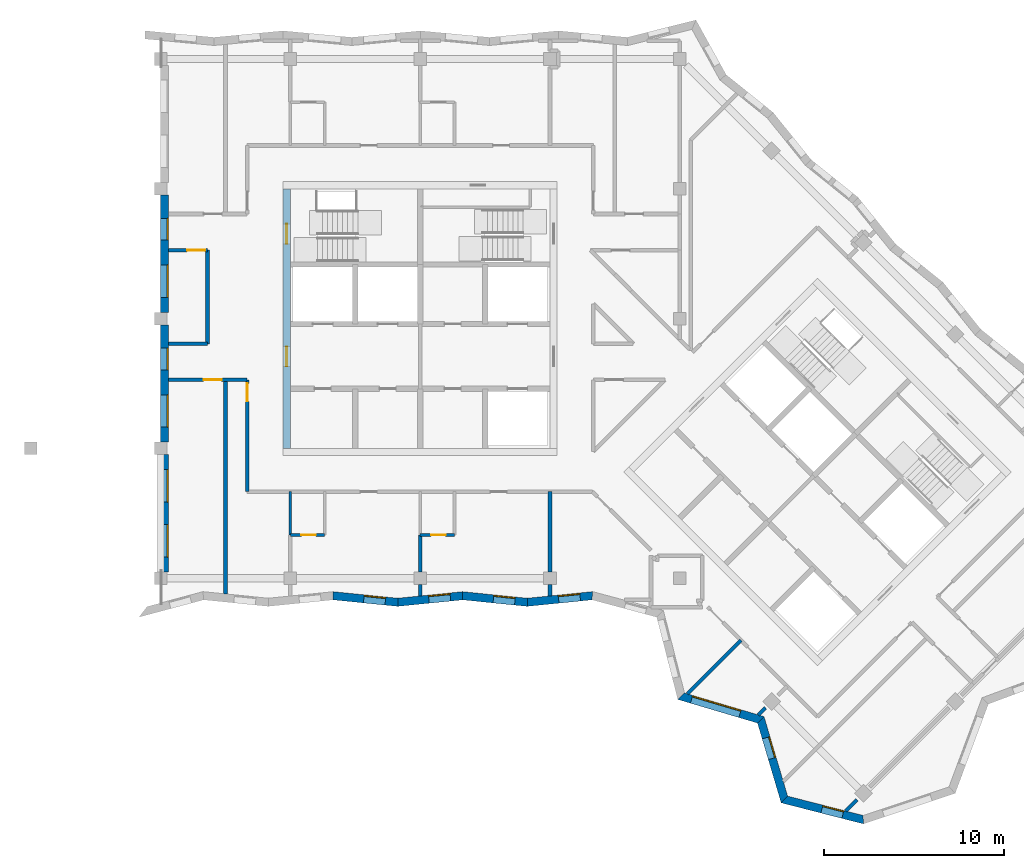
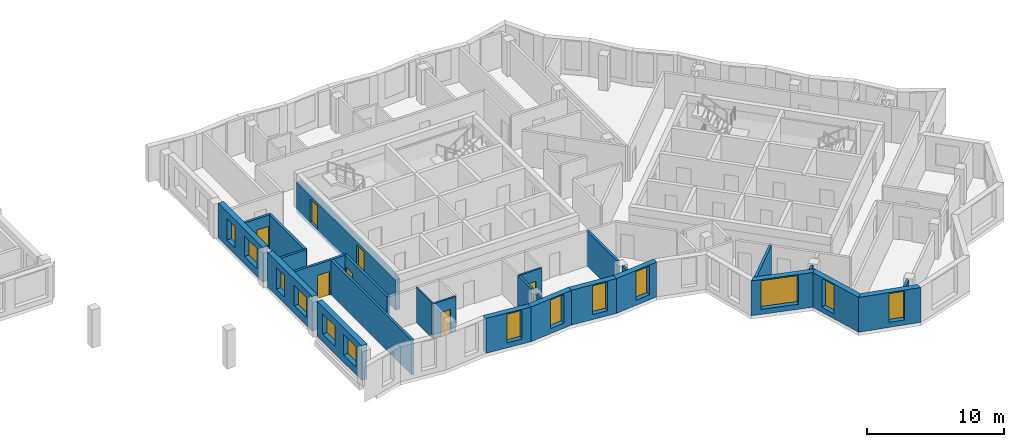
# One storey, part 2 of 12: 27 walls, 13 windows, 7 doors, 20 openings.
"""IFC4 building model written with IfcOpenShell, lengths in metres."""

import ifcopenshell
import ifcopenshell.guid

model = None  # the IFC model being written
_history = None  # IfcOwnerHistory: only IFC2X3 demands one
_inside = {}  # id of a spatial element -> (the spatial element, [elements in it])
_under = {}  # id of a project, library or spatial element -> (it, [spatial elements below it])
_declared = {}  # id of a project -> (the project, [libraries it declares])
_typed = {}  # id of a type object -> (the type object, [elements of that type])
_made_of = {}  # id of a material, layer set ... -> (it, [elements and type objects made of it])


def new_model(schema):
    """Start an empty IFC model of exactly this schema.

    Asked for "IFC4X3", IfcOpenShell would pick the latest addendum, in which some entities
    have other attributes; the version numbers below select the first issue.
    IFC2X3 requires an IfcOwnerHistory on every rooted entity: one is made here for all.
    """
    global model, _history
    if schema == "IFC4X3":
        model = ifcopenshell.file(schema_version=(4, 3, 0, 0))
    else:
        model = ifcopenshell.file(schema=schema)
    _inside.clear()
    _under.clear()
    _declared.clear()
    _typed.clear()
    _made_of.clear()
    _history = None
    if model.schema == "IFC2X3":
        org = make("IfcOrganization", Name="unknown")
        user = make(
            "IfcPersonAndOrganization",
            ThePerson=make("IfcPerson", FamilyName="unknown"),
            TheOrganization=org,
        )
        app = make(
            "IfcApplication",
            ApplicationDeveloper=org,
            Version="unknown",
            ApplicationFullName="unknown",
            ApplicationIdentifier="unknown",
        )
        _history = make(
            "IfcOwnerHistory",
            OwningUser=user,
            OwningApplication=app,
            ChangeAction="ADDED",
            CreationDate=0,
        )
    return model


def make(cls, **values):
    """One entity of the class cls with the attributes given. An attribute that is None is left unset."""
    return model.create_entity(
        cls, **{name: value for name, value in values.items() if value is not None}
    )


def rooted(cls, **values):
    """An entity with a GlobalId (a new one), such as an element, a storey or a relation."""
    return make(cls, GlobalId=ifcopenshell.guid.new(), OwnerHistory=_history, **values)


def si_unit(unit_type, name, prefix=None):
    """IfcSIUnit, for example si_unit("LENGTHUNIT", "METRE", prefix="MILLI")."""
    return make("IfcSIUnit", UnitType=unit_type, Prefix=prefix, Name=name)


def assignment(units):
    """IfcUnitAssignment: the units of a project."""
    return None if units is None else make("IfcUnitAssignment", Units=units)


def point(xyz):
    """IfcCartesianPoint."""
    return None if xyz is None else make("IfcCartesianPoint", Coordinates=xyz)


def direction(xyz):
    """IfcDirection."""
    return None if xyz is None else make("IfcDirection", DirectionRatios=xyz)


def frame(location, z_axis=None, x_axis=None):
    """IfcAxis2Placement3D, a coordinate frame: its origin and axes. An axis left out is left unset."""
    return make(
        "IfcAxis2Placement3D",
        Location=point(location),
        Axis=direction(z_axis),
        RefDirection=direction(x_axis),
    )


def frame_2d(location, x_axis=None):
    """IfcAxis2Placement2D, a coordinate frame in the plane: its origin and x axis."""
    return make(
        "IfcAxis2Placement2D", Location=point(location), RefDirection=direction(x_axis)
    )


def origin():
    """The frame at (0, 0, 0) with its axes left unset."""
    return frame((0.0, 0.0, 0.0))


def place(relative_to, where):
    """IfcLocalPlacement: puts the frame where relative to a parent placement (None: the world)."""
    return make(
        "IfcLocalPlacement", PlacementRelTo=relative_to, RelativePlacement=where
    )


def context(
    kind, dimensions, precision=None, world=None, true_north=None, identifier=None
):
    """IfcGeometricRepresentationContext, for example the 3D "Model" context."""
    return make(
        "IfcGeometricRepresentationContext",
        ContextIdentifier=identifier,
        ContextType=kind,
        CoordinateSpaceDimension=dimensions,
        Precision=precision,
        WorldCoordinateSystem=world,
        TrueNorth=true_north,
    )


def subcontext(parent, identifier, kind, view, scale=None):
    """IfcGeometricRepresentationSubContext, for example "Body" below "Model"."""
    return make(
        "IfcGeometricRepresentationSubContext",
        ContextIdentifier=identifier,
        ContextType=kind,
        ParentContext=parent,
        TargetScale=scale,
        TargetView=view,
    )


def project(units=None, contexts=None):
    """IfcProject with its units and contexts."""
    return rooted(
        "IfcProject",
        Name="project",
        RepresentationContexts=contexts,
        UnitsInContext=assignment(units),
    )


def spatial(cls, under=None, at=None, **own):
    """A site, building, storey or space (cls), placed at a placement, below another one or the project."""
    s = rooted(cls, ObjectPlacement=at, **own)
    if under is not None:
        _under.setdefault(under.id(), (under, []))[1].append(s)
    return s


def polyline(points):
    """IfcPolyline through the points."""
    return make("IfcPolyline", Points=[point(p) for p in points])


def profile(cls, at=None, kind="AREA", **sizes):
    """A parametric profile (cls). Its sizes go by their IFC names, for example OverallWidth=200.0."""
    return make(cls, ProfileType=kind, Position=at, **sizes)


def rectangle(**sizes):
    """IfcRectangleProfileDef."""
    return profile("IfcRectangleProfileDef", **sizes)


def outline(outer, holes=None, kind="AREA"):
    """IfcArbitraryClosedProfileDef: a profile drawn as a closed curve; with holes, ...WithVoids."""
    if holes is None:
        return make("IfcArbitraryClosedProfileDef", ProfileType=kind, OuterCurve=outer)
    return make(
        "IfcArbitraryProfileDefWithVoids",
        ProfileType=kind,
        OuterCurve=outer,
        InnerCurves=holes,
    )


def extrude(swept, where, along, depth):
    """IfcExtrudedAreaSolid: the profile swept, set in the frame where, extruded along a direction by depth."""
    return make(
        "IfcExtrudedAreaSolid",
        SweptArea=swept,
        Position=where,
        ExtrudedDirection=direction(along),
        Depth=depth,
    )


def shape(context_of_items, identifier, shape_type, items):
    """IfcShapeRepresentation: the items that make up one representation, for example the "Body"."""
    return make(
        "IfcShapeRepresentation",
        ContextOfItems=context_of_items,
        RepresentationIdentifier=identifier,
        RepresentationType=shape_type,
        Items=items,
    )


def material(Name=None, Category=None):
    """IfcMaterial."""
    return make("IfcMaterial", Name=Name, Category=Category)


def layer(
    of_material, thickness, ventilated=None, Name=None, Category=None, Priority=None
):
    """IfcMaterialLayer: one layer of a wall or slab, of a material (None: an air gap)."""
    return make(
        "IfcMaterialLayer",
        Material=of_material,
        LayerThickness=thickness,
        IsVentilated=ventilated,
        Name=Name,
        Category=Category,
        Priority=Priority,
    )


def layer_set(layers, Name=None):
    """IfcMaterialLayerSet."""
    return make("IfcMaterialLayerSet", MaterialLayers=layers, LayerSetName=Name)


def made_of(thing, what):
    """Note that an element or type object is made of a material, layer set ...; save() writes the relation."""
    if what is not None:
        _made_of.setdefault(what.id(), (what, []))[1].append(thing)
    return thing


def type_object(cls, material=None, **own):
    """A type object (cls), such as IfcWallType, which elements share."""
    return made_of(rooted(cls, **own), material)


def element(
    cls,
    number,
    at=None,
    inside=None,
    cuts=None,
    type_object=None,
    material=None,
    context=None,
    identifier="Body",
    shape_type=None,
    held_by="IfcProductDefinitionShape",
    body=None,
    shapes=None,
    **own,
):
    """One element of the class cls, such as IfcWall. Its Tag is "e" and its number.

    at: its placement. inside: the storey or other place that contains it. cuts: it is an
    opening in that element (IfcRelVoidsElement). A single representation is given by context,
    identifier, shape_type and body (its items); several are given by shapes. held_by: the class
    of the entity that holds the representations. save() writes the other relations.
    """
    e = rooted(cls, Tag="e%d" % number, ObjectPlacement=at, **own)
    if body is not None:
        shapes = [shape(context, identifier, shape_type, body)]
    if shapes is not None:
        e.Representation = make(held_by, Representations=shapes)
    if inside is not None:
        _inside.setdefault(inside.id(), (inside, []))[1].append(e)
    if cuts is not None:
        rooted(
            "IfcRelVoidsElement", RelatingBuildingElement=cuts, RelatedOpeningElement=e
        )
    if type_object is not None:
        _typed.setdefault(type_object.id(), (type_object, []))[1].append(e)
    return made_of(e, material)


def fill(opening, filler):
    """IfcRelFillsElement: the door or window that sits in an opening."""
    return rooted(
        "IfcRelFillsElement",
        RelatingOpeningElement=opening,
        RelatedBuildingElement=filler,
    )


def aggregate(whole, parts):
    """IfcRelAggregates: a whole, such as a stair, and the parts it consists of."""
    return rooted("IfcRelAggregates", RelatingObject=whole, RelatedObjects=parts)


def save(model, path):
    """Write the relations noted so far, then the file.

    IfcRelAggregates (storeys below a building ...), IfcRelContainedInSpatialStructure (elements
    in a storey), IfcRelDefinesByType, IfcRelAssociatesMaterial and IfcRelDeclares: one each for
    every whole, place, type object, material and project.
    """
    for whole, parts in _under.values():
        aggregate(whole, parts)
    for where, things in _inside.values():
        rooted(
            "IfcRelContainedInSpatialStructure",
            RelatedElements=things,
            RelatingStructure=where,
        )
    for kind, things in _typed.values():
        rooted("IfcRelDefinesByType", RelatedObjects=things, RelatingType=kind)
    for what, things in _made_of.values():
        rooted("IfcRelAssociatesMaterial", RelatedObjects=things, RelatingMaterial=what)
    for by, libraries in _declared.values():
        rooted("IfcRelDeclares", RelatingContext=by, RelatedDefinitions=libraries)
    model.write(path)


model = new_model("IFC4")

# Units and contexts
model_context = context("Model", 3, precision=1e-05, world=origin(), true_north=direction((0.0, 1.0)))
body_context = subcontext(model_context, "Body", "Model", "MODEL_VIEW")
ifc_project = project(units=[si_unit("LENGTHUNIT", "METRE"), si_unit("AREAUNIT", "SQUARE_METRE"), si_unit("VOLUMEUNIT", "CUBIC_METRE"), si_unit("PLANEANGLEUNIT", "RADIAN"), si_unit("MASSUNIT", "GRAM", prefix="KILO")], contexts=[model_context])

# Site, building, storey
site_placement = place(None, origin())
site = spatial("IfcSite", under=ifc_project, at=site_placement, CompositionType="ELEMENT")
building_placement = place(site_placement, origin())
building = spatial("IfcBuilding", under=site, at=building_placement, Name="Windrow Commons", CompositionType="ELEMENT")
storey_placement = place(building_placement, frame((0.0, 0.0, 250.6)))
storey = spatial("IfcBuildingStorey", under=building, at=storey_placement, Name="L68", CompositionType="ELEMENT", Elevation=250.6)

# Wall, opening, window
ifc_material_1 = material(Name="Brick masonry, red clay brick", Category="masonry")
ifc_layer_1 = layer(ifc_material_1, 0.45)
ifc_layer_set_1 = layer_set([ifc_layer_1], Name="Brick facade wall 450")
wall_type_1 = type_object("IfcWallType", Name="Brick facade wall 450", PredefinedType="SOLIDWALL", material=ifc_layer_set_1)
wall_1_placement = place(storey_placement, frame((59.9688, 42.2261, 0.0), z_axis=(0.0, 0.0, 1.0), x_axis=(0.9949813245, -0.1000608012, 0.0)))
wall_1 = element("IfcWall", 1, at=wall_1_placement, inside=storey, type_object=wall_type_1, Name="Brick facade wall L68 41", PredefinedType="SOLIDWALL", context=body_context, shape_type="SweptSolid", body=[
    extrude(outline(polyline([(0.0226, -0.225), (3.6303, -0.225), (3.5851, 0.225), (-0.0226, 0.225), (0.0226, -0.225)])), origin(), (0.0, 0.0, 1.0), 3.1),
])
opening_1_placement = place(wall_1_placement, frame((1.7112, 0.0, 0.45)))
opening_1 = element("IfcOpeningElement", 2, at=opening_1_placement, cuts=wall_1, Name="Opening W7F", PredefinedType="OPENING", context=body_context, shape_type="SweptSolid", body=[
    extrude(rectangle(XDim=1.2, YDim=2.55, at=frame_2d((0.6, 1.275))), frame((0.0, 0.235, 0.0), z_axis=(0.0, -1.0, 0.0), x_axis=(1.0, 0.0, 0.0)), (0.0, 0.0, 1.0), 0.47),
])
ifc_material_2 = material(Name="Clear float glass in anodised aluminium frame", Category="aluminium")
window_type_1 = type_object("IfcWindowType", Name="Window W7 notch 1200x2550", PartitioningType="SINGLE_PANEL", PredefinedType="WINDOW", material=ifc_material_2)
window_1_placement = place(opening_1_placement, origin())
window_1 = element("IfcWindow", 3, at=window_1_placement, inside=storey, type_object=window_type_1, Name="Window L68 41.1", OverallHeight=2.55, OverallWidth=1.2, PartitioningType="SINGLE_PANEL", PredefinedType="WINDOW", context=body_context, shape_type="SweptSolid", body=[
    extrude(rectangle(XDim=1.2, YDim=2.55, at=frame_2d((0.6, 1.275))), frame((0.0, 0.205, 0.0), z_axis=(0.0, -1.0, 0.0), x_axis=(1.0, 0.0, 0.0)), (0.0, 0.0, 1.0), 0.06),
])
fill(opening_1, window_1)

wall_2_placement = place(storey_placement, frame((63.5585, 41.8651, 0.0), z_axis=(0.0, 0.0, 1.0), x_axis=(0.994981047, 0.1000635608, 0.0)))
wall_2 = element("IfcWall", 4, at=wall_2_placement, inside=storey, type_object=wall_type_1, Name="Brick facade wall L68 42", PredefinedType="SOLIDWALL", context=body_context, shape_type="SweptSolid", body=[
    extrude(outline(polyline([(-0.0226, -0.225), (3.5851, -0.225), (3.6303, 0.225), (0.0226, 0.225), (-0.0226, -0.225)])), origin(), (0.0, 0.0, 1.0), 3.1),
])
opening_2_placement = place(wall_2_placement, frame((1.7278, 0.0, 0.45)))
opening_2 = element("IfcOpeningElement", 5, at=opening_2_placement, cuts=wall_2, Name="Opening W7F", PredefinedType="OPENING", context=body_context, shape_type="SweptSolid", body=[
    extrude(rectangle(XDim=1.2, YDim=2.55, at=frame_2d((0.6, 1.275))), frame((0.0, 0.235, 0.0), z_axis=(0.0, -1.0, 0.0), x_axis=(1.0, 0.0, 0.0)), (0.0, 0.0, 1.0), 0.47),
])
window_2_placement = place(opening_2_placement, origin())
window_2 = element("IfcWindow", 6, at=window_2_placement, inside=storey, type_object=window_type_1, Name="Window L68 42.1", OverallHeight=2.55, OverallWidth=1.2, PartitioningType="SINGLE_PANEL", PredefinedType="WINDOW", context=body_context, shape_type="SweptSolid", body=[
    extrude(rectangle(XDim=1.2, YDim=2.55, at=frame_2d((0.6, 1.275))), frame((0.0, 0.205, 0.0), z_axis=(0.0, -1.0, 0.0), x_axis=(1.0, 0.0, 0.0)), (0.0, 0.0, 1.0), 0.06),
])
fill(opening_2, window_2)

wall_3_placement = place(storey_placement, frame((67.1481, 42.2261, 0.0), z_axis=(0.0, 0.0, 1.0), x_axis=(0.994981047, -0.1000635608, 0.0)))
wall_3 = element("IfcWall", 7, at=wall_3_placement, inside=storey, type_object=wall_type_1, Name="Brick facade wall L68 43", PredefinedType="SOLIDWALL", context=body_context, shape_type="SweptSolid", body=[
    extrude(outline(polyline([(0.0226, -0.225), (3.6303, -0.225), (3.5851, 0.225), (-0.0226, 0.225), (0.0226, -0.225)])), origin(), (0.0, 0.0, 1.0), 3.1),
])
opening_3_placement = place(wall_3_placement, frame((1.7217, 0.0, 0.45)))
opening_3 = element("IfcOpeningElement", 8, at=opening_3_placement, cuts=wall_3, Name="Opening W7F", PredefinedType="OPENING", context=body_context, shape_type="SweptSolid", body=[
    extrude(rectangle(XDim=1.2, YDim=2.55, at=frame_2d((0.6, 1.275))), frame((0.0, 0.235, 0.0), z_axis=(0.0, -1.0, 0.0), x_axis=(1.0, 0.0, 0.0)), (0.0, 0.0, 1.0), 0.47),
])
window_3_placement = place(opening_3_placement, origin())
window_3 = element("IfcWindow", 9, at=window_3_placement, inside=storey, type_object=window_type_1, Name="Window L68 43.1", OverallHeight=2.55, OverallWidth=1.2, PartitioningType="SINGLE_PANEL", PredefinedType="WINDOW", context=body_context, shape_type="SweptSolid", body=[
    extrude(rectangle(XDim=1.2, YDim=2.55, at=frame_2d((0.6, 1.275))), frame((0.0, 0.205, 0.0), z_axis=(0.0, -1.0, 0.0), x_axis=(1.0, 0.0, 0.0)), (0.0, 0.0, 1.0), 0.06),
])
fill(opening_3, window_3)

wall_4_placement = place(storey_placement, frame((70.7377, 41.8651, 0.0), z_axis=(0.0, 0.0, 1.0), x_axis=(0.9949796866, 0.1000770865, 0.0)))
wall_4 = element("IfcWall", 10, at=wall_4_placement, inside=storey, type_object=wall_type_1, Name="Brick facade wall L68 44", PredefinedType="SOLIDWALL", context=body_context, shape_type="SweptSolid", body=[
    extrude(outline(polyline([(-0.0226, -0.225), (3.5851, -0.225), (3.6674, 0.225), (0.0226, 0.225), (-0.0226, -0.225)])), origin(), (0.0, 0.0, 1.0), 3.1),
])
opening_4_placement = place(wall_4_placement, frame((1.7475, 0.0, 0.45)))
opening_4 = element("IfcOpeningElement", 11, at=opening_4_placement, cuts=wall_4, Name="Opening W7F", PredefinedType="OPENING", context=body_context, shape_type="SweptSolid", body=[
    extrude(rectangle(XDim=1.2, YDim=2.55, at=frame_2d((0.6, 1.275))), frame((0.0, 0.235, 0.0), z_axis=(0.0, -1.0, 0.0), x_axis=(1.0, 0.0, 0.0)), (0.0, 0.0, 1.0), 0.47),
])
window_4_placement = place(opening_4_placement, origin())
window_4 = element("IfcWindow", 12, at=window_4_placement, inside=storey, type_object=window_type_1, Name="Window L68 44.1", OverallHeight=2.55, OverallWidth=1.2, PartitioningType="SINGLE_PANEL", PredefinedType="WINDOW", context=body_context, shape_type="SweptSolid", body=[
    extrude(rectangle(XDim=1.2, YDim=2.55, at=frame_2d((0.6, 1.275))), frame((0.0, 0.205, 0.0), z_axis=(0.0, -1.0, 0.0), x_axis=(1.0, 0.0, 0.0)), (0.0, 0.0, 1.0), 0.06),
])
fill(opening_4, window_4)

wall_5_placement = place(storey_placement, frame((79.2725, 36.6551, 0.0), z_axis=(0.0, 0.0, 1.0), x_axis=(0.9587656954, -0.2841977151, 0.0)))
wall_5 = element("IfcWall", 13, at=wall_5_placement, inside=storey, type_object=wall_type_1, Name="Brick facade wall L68 47", PredefinedType="SOLIDWALL", context=body_context, shape_type="SweptSolid", body=[
    extrude(outline(polyline([(-0.1276, -0.225), (4.4845, -0.225), (4.7288, 0.225), (0.1276, 0.225), (-0.1276, -0.225)])), origin(), (0.0, 0.0, 1.0), 3.1),
])
opening_5_placement = place(wall_5_placement, frame((0.6034, 0.0, 0.45)))
opening_5 = element("IfcOpeningElement", 14, at=opening_5_placement, cuts=wall_5, Name="Opening W1V", PredefinedType="OPENING", context=body_context, shape_type="SweptSolid", body=[
    extrude(rectangle(XDim=2.8, YDim=2.55, at=frame_2d((1.4, 1.275))), frame((0.0, 0.235, 0.0), z_axis=(0.0, -1.0, 0.0), x_axis=(1.0, 0.0, 0.0)), (0.0, 0.0, 1.0), 0.47),
])
ifc_material_3 = material(Name="Clear float glass in anodised aluminium frame", Category="aluminium")
window_type_2 = type_object("IfcWindowType", Name="Window W1V bedroom 2800x2550", PartitioningType="SINGLE_PANEL", PredefinedType="WINDOW", material=ifc_material_3)
window_5_placement = place(opening_5_placement, origin())
window_5 = element("IfcWindow", 15, at=window_5_placement, inside=storey, type_object=window_type_2, Name="Window L68 47.1", OverallHeight=2.55, OverallWidth=2.8, PartitioningType="SINGLE_PANEL", PredefinedType="WINDOW", context=body_context, shape_type="SweptSolid", body=[
    extrude(rectangle(XDim=2.8, YDim=2.55, at=frame_2d((1.4, 1.275))), frame((0.0, 0.205, 0.0), z_axis=(0.0, -1.0, 0.0), x_axis=(1.0, 0.0, 0.0)), (0.0, 0.0, 1.0), 0.06),
])
fill(opening_5, window_5)

wall_6_placement = place(storey_placement, frame((83.6892, 35.3459, 0.0), z_axis=(0.0, 0.0, 1.0), x_axis=(0.2841977151, -0.9587656954, 0.0)))
wall_6 = element("IfcWall", 16, at=wall_6_placement, inside=storey, type_object=wall_type_1, Name="Brick facade wall L68 48", PredefinedType="SOLIDWALL", context=body_context, shape_type="SweptSolid", body=[
    extrude(outline(polyline([(0.1221, -0.225), (4.7343, -0.225), (4.4791, 0.225), (-0.1221, 0.225), (0.1221, -0.225)])), origin(), (0.0, 0.0, 1.0), 3.1),
])
opening_6_placement = place(wall_6_placement, frame((1.0363, 0.0, 0.45)))
opening_6 = element("IfcOpeningElement", 17, at=opening_6_placement, cuts=wall_6, Name="Opening W7F", PredefinedType="OPENING", context=body_context, shape_type="SweptSolid", body=[
    extrude(rectangle(XDim=1.2, YDim=2.55, at=frame_2d((0.6, 1.275))), frame((0.0, 0.235, 0.0), z_axis=(0.0, -1.0, 0.0), x_axis=(1.0, 0.0, 0.0)), (0.0, 0.0, 1.0), 0.47),
])
window_6_placement = place(opening_6_placement, origin())
window_6 = element("IfcWindow", 18, at=window_6_placement, inside=storey, type_object=window_type_1, Name="Window L68 48.1", OverallHeight=2.55, OverallWidth=1.2, PartitioningType="SINGLE_PANEL", PredefinedType="WINDOW", context=body_context, shape_type="SweptSolid", body=[
    extrude(rectangle(XDim=1.2, YDim=2.55, at=frame_2d((0.6, 1.275))), frame((0.0, 0.205, 0.0), z_axis=(0.0, -1.0, 0.0), x_axis=(1.0, 0.0, 0.0)), (0.0, 0.0, 1.0), 0.06),
])
fill(opening_6, window_6)

wall_7_placement = place(storey_placement, frame((84.9984, 30.9292, 0.0), z_axis=(0.0, 0.0, 1.0), x_axis=(0.9687037334, -0.2482198158, 0.0)))
wall_7 = element("IfcWall", 19, at=wall_7_placement, inside=storey, type_object=wall_type_1, Name="Brick facade wall L68 49", PredefinedType="SOLIDWALL", context=body_context, shape_type="SweptSolid", body=[
    extrude(outline(polyline([(-0.1276, -0.225), (4.5832, -0.225), (4.4508, 0.225), (0.1276, 0.225), (-0.1276, -0.225)])), origin(), (0.0, 0.0, 1.0), 3.1),
])
opening_7_placement = place(wall_7_placement, frame((2.1488, 0.0, 0.45)))
opening_7 = element("IfcOpeningElement", 20, at=opening_7_placement, cuts=wall_7, Name="Opening W7F", PredefinedType="OPENING", context=body_context, shape_type="SweptSolid", body=[
    extrude(rectangle(XDim=1.2, YDim=2.55, at=frame_2d((0.6, 1.275))), frame((0.0, 0.235, 0.0), z_axis=(0.0, -1.0, 0.0), x_axis=(1.0, 0.0, 0.0)), (0.0, 0.0, 1.0), 0.47),
])
window_7_placement = place(opening_7_placement, origin())
window_7 = element("IfcWindow", 21, at=window_7_placement, inside=storey, type_object=window_type_1, Name="Window L68 49.1", OverallHeight=2.55, OverallWidth=1.2, PartitioningType="SINGLE_PANEL", PredefinedType="WINDOW", context=body_context, shape_type="SweptSolid", body=[
    extrude(rectangle(XDim=1.2, YDim=2.55, at=frame_2d((0.6, 1.275))), frame((0.0, 0.205, 0.0), z_axis=(0.0, -1.0, 0.0), x_axis=(1.0, 0.0, 0.0)), (0.0, 0.0, 1.0), 0.06),
])
fill(opening_7, window_7)

# Wall, openings, windows
wall_8_placement = place(storey_placement, frame((50.625, 64.45, 0.0), z_axis=(0.0, 0.0, 1.0), x_axis=(0.0, -1.0, 0.0)))
wall_8 = element("IfcWall", 22, at=wall_8_placement, inside=storey, type_object=wall_type_1, Name="Brick portal return L68 12.2", PredefinedType="SOLIDWALL", context=body_context, shape_type="SweptSolid", body=[
    extrude(rectangle(XDim=6.5, YDim=0.45, at=frame_2d((3.25, 0.0))), origin(), (0.0, 0.0, 1.0), 3.1),
])
opening_8_placement = place(wall_8_placement, frame((3.875, 0.0, 0.7)))
opening_8 = element("IfcOpeningElement", 23, at=opening_8_placement, cuts=wall_8, Name="Opening W8", PredefinedType="OPENING", context=body_context, shape_type="SweptSolid", body=[
    extrude(rectangle(XDim=1.8, YDim=1.8, at=frame_2d((0.9, 0.9))), frame((0.0, 0.235, 0.0), z_axis=(0.0, -1.0, 0.0), x_axis=(1.0, 0.0, 0.0)), (0.0, 0.0, 1.0), 0.47),
])
opening_9_placement = place(wall_8_placement, frame((1.2875, 0.0, 0.6)))
opening_9 = element("IfcOpeningElement", 24, at=opening_9_placement, cuts=wall_8, Name="Opening W7G", PredefinedType="OPENING", context=body_context, shape_type="SweptSolid", body=[
    extrude(rectangle(XDim=1.2, YDim=1.9, at=frame_2d((0.6, 0.95))), frame((0.0, 0.235, 0.0), z_axis=(0.0, -1.0, 0.0), x_axis=(1.0, 0.0, 0.0)), (0.0, 0.0, 1.0), 0.47),
])
ifc_material_4 = material(Name="Clear float glass in anodised aluminium frame", Category="aluminium")
window_type_3 = type_object("IfcWindowType", Name="Window W7 notch 1200x1900", PartitioningType="SINGLE_PANEL", PredefinedType="WINDOW", material=ifc_material_4)
window_8_placement = place(opening_9_placement, origin())
window_8 = element("IfcWindow", 25, at=window_8_placement, inside=storey, type_object=window_type_3, Name="Window L68 portal 12.2.1A", OverallHeight=1.9, OverallWidth=1.2, PartitioningType="SINGLE_PANEL", PredefinedType="WINDOW", context=body_context, shape_type="SweptSolid", body=[
    extrude(rectangle(XDim=1.2, YDim=1.9, at=frame_2d((0.6, 0.95))), frame((0.0, 0.205, 0.0), z_axis=(0.0, -1.0, 0.0), x_axis=(1.0, 0.0, 0.0)), (0.0, 0.0, 1.0), 0.06),
])
fill(opening_9, window_8)
ifc_material_5 = material(Name="Clear float glass in anodised aluminium frame", Category="aluminium")
window_type_4 = type_object("IfcWindowType", Name="Window W8 portal 1800x1800", PartitioningType="SINGLE_PANEL", PredefinedType="WINDOW", material=ifc_material_5)
window_9_placement = place(opening_8_placement, origin())
window_9 = element("IfcWindow", 26, at=window_9_placement, inside=storey, type_object=window_type_4, Name="Window L68 portal 12.2.2", OverallHeight=1.8, OverallWidth=1.8, PartitioningType="SINGLE_PANEL", PredefinedType="WINDOW", context=body_context, shape_type="SweptSolid", body=[
    extrude(rectangle(XDim=1.8, YDim=1.8, at=frame_2d((0.9, 0.9))), frame((0.0, 0.205, 0.0), z_axis=(0.0, -1.0, 0.0), x_axis=(1.0, 0.0, 0.0)), (0.0, 0.0, 1.0), 0.06),
])
fill(opening_8, window_9)

wall_9_placement = place(storey_placement, frame((50.625, 57.25, 0.0), z_axis=(0.0, 0.0, 1.0), x_axis=(0.0, -1.0, 0.0)))
wall_9 = element("IfcWall", 27, at=wall_9_placement, inside=storey, type_object=wall_type_1, Name="Brick portal return L68 12.3", PredefinedType="SOLIDWALL", context=body_context, shape_type="SweptSolid", body=[
    extrude(rectangle(XDim=6.5, YDim=0.45, at=frame_2d((3.25, 0.0))), origin(), (0.0, 0.0, 1.0), 3.1),
])
opening_10_placement = place(wall_9_placement, frame((3.875, 0.0, 0.7)))
opening_10 = element("IfcOpeningElement", 28, at=opening_10_placement, cuts=wall_9, Name="Opening W8", PredefinedType="OPENING", context=body_context, shape_type="SweptSolid", body=[
    extrude(rectangle(XDim=1.8, YDim=1.8, at=frame_2d((0.9, 0.9))), frame((0.0, 0.235, 0.0), z_axis=(0.0, -1.0, 0.0), x_axis=(1.0, 0.0, 0.0)), (0.0, 0.0, 1.0), 0.47),
])
opening_11_placement = place(wall_9_placement, frame((1.2875, 0.0, 0.6)))
opening_11 = element("IfcOpeningElement", 29, at=opening_11_placement, cuts=wall_9, Name="Opening W7G", PredefinedType="OPENING", context=body_context, shape_type="SweptSolid", body=[
    extrude(rectangle(XDim=1.2, YDim=1.9, at=frame_2d((0.6, 0.95))), frame((0.0, 0.235, 0.0), z_axis=(0.0, -1.0, 0.0), x_axis=(1.0, 0.0, 0.0)), (0.0, 0.0, 1.0), 0.47),
])
window_10_placement = place(opening_11_placement, origin())
window_10 = element("IfcWindow", 30, at=window_10_placement, inside=storey, type_object=window_type_3, Name="Window L68 portal 12.3.1A", OverallHeight=1.9, OverallWidth=1.2, PartitioningType="SINGLE_PANEL", PredefinedType="WINDOW", context=body_context, shape_type="SweptSolid", body=[
    extrude(rectangle(XDim=1.2, YDim=1.9, at=frame_2d((0.6, 0.95))), frame((0.0, 0.205, 0.0), z_axis=(0.0, -1.0, 0.0), x_axis=(1.0, 0.0, 0.0)), (0.0, 0.0, 1.0), 0.06),
])
fill(opening_11, window_10)
window_11_placement = place(opening_10_placement, origin())
window_11 = element("IfcWindow", 31, at=window_11_placement, inside=storey, type_object=window_type_4, Name="Window L68 portal 12.3.2", OverallHeight=1.8, OverallWidth=1.8, PartitioningType="SINGLE_PANEL", PredefinedType="WINDOW", context=body_context, shape_type="SweptSolid", body=[
    extrude(rectangle(XDim=1.8, YDim=1.8, at=frame_2d((0.9, 0.9))), frame((0.0, 0.205, 0.0), z_axis=(0.0, -1.0, 0.0), x_axis=(1.0, 0.0, 0.0)), (0.0, 0.0, 1.0), 0.06),
])
fill(opening_10, window_11)

wall_10_placement = place(storey_placement, frame((50.625, 50.05, 0.0), z_axis=(0.0, 0.0, 1.0), x_axis=(0.0, -1.0, 0.0)))
wall_10 = element("IfcWall", 32, at=wall_10_placement, inside=storey, type_object=wall_type_1, Name="Brick portal return L68 12.4", PredefinedType="SOLIDWALL", context=body_context, shape_type="SweptSolid", body=[
    extrude(rectangle(XDim=6.5, YDim=0.45, at=frame_2d((3.25, 0.0))), origin(), (0.0, 0.0, 1.0), 3.1),
])
opening_12_placement = place(wall_10_placement, frame((0.825, 0.0, 0.7)))
opening_12 = element("IfcOpeningElement", 33, at=opening_12_placement, cuts=wall_10, Name="Opening W8", PredefinedType="OPENING", context=body_context, shape_type="SweptSolid", body=[
    extrude(rectangle(XDim=1.8, YDim=1.8, at=frame_2d((0.9, 0.9))), frame((0.0, 0.235, 0.0), z_axis=(0.0, -1.0, 0.0), x_axis=(1.0, 0.0, 0.0)), (0.0, 0.0, 1.0), 0.47),
])
opening_13_placement = place(wall_10_placement, frame((3.875, 0.0, 0.7)))
opening_13 = element("IfcOpeningElement", 34, at=opening_13_placement, cuts=wall_10, Name="Opening W8", PredefinedType="OPENING", context=body_context, shape_type="SweptSolid", body=[
    extrude(rectangle(XDim=1.8, YDim=1.8, at=frame_2d((0.9, 0.9))), frame((0.0, 0.235, 0.0), z_axis=(0.0, -1.0, 0.0), x_axis=(1.0, 0.0, 0.0)), (0.0, 0.0, 1.0), 0.47),
])
window_12_placement = place(opening_12_placement, origin())
window_12 = element("IfcWindow", 35, at=window_12_placement, inside=storey, type_object=window_type_4, Name="Window L68 portal 12.4.1", OverallHeight=1.8, OverallWidth=1.8, PartitioningType="SINGLE_PANEL", PredefinedType="WINDOW", context=body_context, shape_type="SweptSolid", body=[
    extrude(rectangle(XDim=1.8, YDim=1.8, at=frame_2d((0.9, 0.9))), frame((0.0, 0.205, 0.0), z_axis=(0.0, -1.0, 0.0), x_axis=(1.0, 0.0, 0.0)), (0.0, 0.0, 1.0), 0.06),
])
fill(opening_12, window_12)
window_13_placement = place(opening_13_placement, origin())
window_13 = element("IfcWindow", 36, at=window_13_placement, inside=storey, type_object=window_type_4, Name="Window L68 portal 12.4.2", OverallHeight=1.8, OverallWidth=1.8, PartitioningType="SINGLE_PANEL", PredefinedType="WINDOW", context=body_context, shape_type="SweptSolid", body=[
    extrude(rectangle(XDim=1.8, YDim=1.8, at=frame_2d((0.9, 0.9))), frame((0.0, 0.205, 0.0), z_axis=(0.0, -1.0, 0.0), x_axis=(1.0, 0.0, 0.0)), (0.0, 0.0, 1.0), 0.06),
])
fill(opening_13, window_13)

# Wall, opening, door
ifc_material_6 = material(Name="Blockwork partition", Category="masonry")
ifc_layer_2 = layer(ifc_material_6, 0.2)
ifc_layer_set_2 = layer_set([ifc_layer_2], Name="IW-CORRIDOR-200")
wall_type_2 = type_object("IfcWallType", Name="IW-CORRIDOR-200", PredefinedType="PARTITIONING", material=ifc_layer_set_2)
wall_11_placement = place(storey_placement, frame((55.2, 48.0, 0.0), z_axis=(0.0, 0.0, 1.0), x_axis=(0.0, 1.0, 0.0)))
wall_11 = element("IfcWall", 37, at=wall_11_placement, inside=storey, type_object=wall_type_2, Name="W-L68-W016", PredefinedType="PARTITIONING", context=body_context, shape_type="SweptSolid", body=[
    extrude(rectangle(XDim=6.2, YDim=0.2, at=frame_2d((3.1, 0.0))), origin(), (0.0, 0.0, 1.0), 3.1),
])
opening_14_placement = place(wall_11_placement, frame((5.0061, 0.0, 0.0)))
opening_14 = element("IfcOpeningElement", 38, at=opening_14_placement, cuts=wall_11, Name="Opening D310F", PredefinedType="OPENING", context=body_context, shape_type="SweptSolid", body=[
    extrude(rectangle(XDim=1.0, YDim=2.1, at=frame_2d((0.5, 1.05))), frame((0.0, 0.11, 0.0), z_axis=(0.0, -1.0, 0.0), x_axis=(1.0, 0.0, 0.0)), (0.0, 0.0, 1.0), 0.22),
])
ifc_material_7 = material(Name="Timber door leaf", Category="wood")
door_type_1 = type_object("IfcDoorType", Name="DT-AMENITY-1000", OperationType="SINGLE_SWING_LEFT", PredefinedType="DOOR", material=ifc_material_7)
door_1_placement = place(opening_14_placement, origin())
door_1 = element("IfcDoor", 39, at=door_1_placement, inside=storey, type_object=door_type_1, Name="D-L68-D001", OperationType="SINGLE_SWING_RIGHT", OverallHeight=2.1, OverallWidth=1.0, PredefinedType="DOOR", context=body_context, shape_type="SweptSolid", body=[
    extrude(rectangle(XDim=1.0, YDim=2.1, at=frame_2d((0.5, 1.05))), frame((0.0, 0.025, 0.0), z_axis=(0.0, -1.0, 0.0), x_axis=(1.0, 0.0, 0.0)), (0.0, 0.0, 1.0), 0.05),
])
fill(opening_14, door_1)

# Wall
wall_12_placement = place(storey_placement, frame((53.0, 56.202, 0.0), z_axis=(0.0, 0.0, 1.0), x_axis=(0.0, 1.0, 0.0)))
element("IfcWall", 40, at=wall_12_placement, inside=storey, type_object=wall_type_2, Name="W-L68-W018", PredefinedType="PARTITIONING", context=body_context, shape_type="SweptSolid", body=[
    extrude(rectangle(XDim=5.198, YDim=0.2, at=frame_2d((2.599, 0.0))), origin(), (0.0, 0.0, 1.0), 3.1),
])

# Wall, opening, door
wall_13_placement = place(storey_placement, frame((50.85, 54.2, 0.0), z_axis=(0.0, 0.0, 1.0), x_axis=(1.0, 0.0, 0.0)))
wall_13 = element("IfcWall", 41, at=wall_13_placement, inside=storey, type_object=wall_type_2, Name="W-L68-W027", PredefinedType="PARTITIONING", context=body_context, shape_type="SweptSolid", body=[
    extrude(rectangle(XDim=4.35, YDim=0.2, at=frame_2d((2.175, 0.0))), origin(), (0.0, 0.0, 1.0), 3.1),
])
opening_15_placement = place(wall_13_placement, frame((1.9314, 0.0, 0.0)))
opening_15 = element("IfcOpeningElement", 42, at=opening_15_placement, cuts=wall_13, Name="Opening D310F", PredefinedType="OPENING", context=body_context, shape_type="SweptSolid", body=[
    extrude(rectangle(XDim=1.0, YDim=2.1, at=frame_2d((0.5, 1.05))), frame((0.0, 0.11, 0.0), z_axis=(0.0, -1.0, 0.0), x_axis=(1.0, 0.0, 0.0)), (0.0, 0.0, 1.0), 0.22),
])
door_2_placement = place(opening_15_placement, origin())
door_2 = element("IfcDoor", 43, at=door_2_placement, inside=storey, type_object=door_type_1, Name="D-L68-D000", OperationType="SINGLE_SWING_LEFT", OverallHeight=2.1, OverallWidth=1.0, PredefinedType="DOOR", context=body_context, shape_type="SweptSolid", body=[
    extrude(rectangle(XDim=1.0, YDim=2.1, at=frame_2d((0.5, 1.05))), frame((0.0, 0.025, 0.0), z_axis=(0.0, -1.0, 0.0), x_axis=(1.0, 0.0, 0.0)), (0.0, 0.0, 1.0), 0.05),
])
fill(opening_15, door_2)

# Wall
wall_14_placement = place(storey_placement, frame((50.85, 56.2, 0.0), z_axis=(0.0, 0.0, 1.0), x_axis=(1.0, 0.0, 0.0)))
element("IfcWall", 44, at=wall_14_placement, inside=storey, type_object=wall_type_2, Name="W-L68-W062", PredefinedType="PARTITIONING", context=body_context, shape_type="SweptSolid", body=[
    extrude(rectangle(XDim=2.15, YDim=0.2, at=frame_2d((1.075, 0.0))), origin(), (0.0, 0.0, 1.0), 3.1),
])

# Wall, opening, door
wall_15_placement = place(storey_placement, frame((50.85, 61.4, 0.0), z_axis=(0.0, 0.0, 1.0), x_axis=(1.0, 0.0, 0.0)))
wall_15 = element("IfcWall", 45, at=wall_15_placement, inside=storey, type_object=wall_type_2, Name="W-L68-W063", PredefinedType="PARTITIONING", context=body_context, shape_type="SweptSolid", body=[
    extrude(rectangle(XDim=2.15, YDim=0.2, at=frame_2d((1.075, 0.0))), origin(), (0.0, 0.0, 1.0), 3.1),
])
opening_16_placement = place(wall_15_placement, frame((1.0186, 0.0, 0.0)))
opening_16 = element("IfcOpeningElement", 46, at=opening_16_placement, cuts=wall_15, Name="Opening D410F", PredefinedType="OPENING", context=body_context, shape_type="SweptSolid", body=[
    extrude(rectangle(XDim=1.0, YDim=2.1, at=frame_2d((0.5, 1.05))), frame((0.0, 0.11, 0.0), z_axis=(0.0, -1.0, 0.0), x_axis=(1.0, 0.0, 0.0)), (0.0, 0.0, 1.0), 0.22),
])
ifc_material_8 = material(Name="Timber door leaf", Category="wood")
door_type_2 = type_object("IfcDoorType", Name="DT-SERVICE-1000", OperationType="SINGLE_SWING_LEFT", PredefinedType="DOOR", material=ifc_material_8)
door_3_placement = place(opening_16_placement, origin())
door_3 = element("IfcDoor", 47, at=door_3_placement, inside=storey, type_object=door_type_2, Name="D-L68-D008", OperationType="SINGLE_SWING_LEFT", OverallHeight=2.1, OverallWidth=1.0, PredefinedType="DOOR", context=body_context, shape_type="SweptSolid", body=[
    extrude(rectangle(XDim=1.0, YDim=2.1, at=frame_2d((0.5, 1.05))), frame((0.0, 0.025, 0.0), z_axis=(0.0, -1.0, 0.0), x_axis=(1.0, 0.0, 0.0)), (0.0, 0.0, 1.0), 0.05),
])
fill(opening_16, door_3)

# Wall
ifc_material_9 = material(Name="Blockwork partition", Category="masonry")
ifc_layer_3 = layer(ifc_material_9, 0.15)
ifc_layer_set_3 = layer_set([ifc_layer_3], Name="IW-ENSUITE-150")
wall_type_3 = type_object("IfcWallType", Name="IW-ENSUITE-150", PredefinedType="PARTITIONING", material=ifc_layer_set_3)
wall_16_placement = place(storey_placement, frame((57.6, 45.6, 0.0), z_axis=(0.0, 0.0, 1.0), x_axis=(0.0, 1.0, 0.0)))
element("IfcWall", 48, at=wall_16_placement, inside=storey, type_object=wall_type_3, Name="W-L68-W046", PredefinedType="PARTITIONING", context=body_context, shape_type="SweptSolid", body=[
    extrude(rectangle(XDim=2.4, YDim=0.15, at=frame_2d((1.2, 0.0))), origin(), (0.0, 0.0, 1.0), 3.1),
])

# Wall, opening, door
wall_17_placement = place(storey_placement, frame((64.8, 45.6, 0.0), z_axis=(0.0, 0.0, 1.0), x_axis=(1.0, 0.0, 0.0)))
wall_17 = element("IfcWall", 49, at=wall_17_placement, inside=storey, type_object=wall_type_3, Name="W-L68-W073", PredefinedType="PARTITIONING", context=body_context, shape_type="SweptSolid", body=[
    extrude(rectangle(XDim=1.9, YDim=0.15, at=frame_2d((0.95, 0.0))), origin(), (0.0, 0.0, 1.0), 3.1),
])
opening_17_placement = place(wall_17_placement, frame((0.6069, 0.0, 0.0)))
opening_17 = element("IfcOpeningElement", 50, at=opening_17_placement, cuts=wall_17, Name="Opening D208N", PredefinedType="OPENING", context=body_context, shape_type="SweptSolid", body=[
    extrude(rectangle(XDim=0.8, YDim=2.1, at=frame_2d((0.4, 1.05))), frame((0.0, 0.085, 0.0), z_axis=(0.0, -1.0, 0.0), x_axis=(1.0, 0.0, 0.0)), (0.0, 0.0, 1.0), 0.17),
])
ifc_material_10 = material(Name="Timber door leaf", Category="wood")
door_type_3 = type_object("IfcDoorType", Name="DT-ENSUITE-800", OperationType="SINGLE_SWING_LEFT", PredefinedType="DOOR", material=ifc_material_10)
door_4_placement = place(opening_17_placement, origin())
door_4 = element("IfcDoor", 51, at=door_4_placement, inside=storey, type_object=door_type_3, Name="D-L68-D005", OperationType="SINGLE_SWING_RIGHT", OverallHeight=2.1, OverallWidth=0.8, PredefinedType="DOOR", context=body_context, shape_type="SweptSolid", body=[
    extrude(rectangle(XDim=0.8, YDim=2.1, at=frame_2d((0.4, 1.05))), frame((0.0, 0.025, 0.0), z_axis=(0.0, -1.0, 0.0), x_axis=(1.0, 0.0, 0.0)), (0.0, 0.0, 1.0), 0.05),
])
fill(opening_17, door_4)

wall_18_placement = place(storey_placement, frame((57.6, 45.6, 0.0), z_axis=(0.0, 0.0, 1.0), x_axis=(1.0, 0.0, 0.0)))
wall_18 = element("IfcWall", 52, at=wall_18_placement, inside=storey, type_object=wall_type_3, Name="W-L68-W075", PredefinedType="PARTITIONING", context=body_context, shape_type="SweptSolid", body=[
    extrude(rectangle(XDim=1.9, YDim=0.15, at=frame_2d((0.95, 0.0))), origin(), (0.0, 0.0, 1.0), 3.1),
])
opening_18_placement = place(wall_18_placement, frame((0.6069, 0.0, 0.0)))
opening_18 = element("IfcOpeningElement", 53, at=opening_18_placement, cuts=wall_18, Name="Opening D208N", PredefinedType="OPENING", context=body_context, shape_type="SweptSolid", body=[
    extrude(rectangle(XDim=0.8, YDim=2.1, at=frame_2d((0.4, 1.05))), frame((0.0, 0.085, 0.0), z_axis=(0.0, -1.0, 0.0), x_axis=(1.0, 0.0, 0.0)), (0.0, 0.0, 1.0), 0.17),
])
door_5_placement = place(opening_18_placement, origin())
door_5 = element("IfcDoor", 54, at=door_5_placement, inside=storey, type_object=door_type_3, Name="D-L68-D003", OperationType="SINGLE_SWING_RIGHT", OverallHeight=2.1, OverallWidth=0.8, PredefinedType="DOOR", context=body_context, shape_type="SweptSolid", body=[
    extrude(rectangle(XDim=0.8, YDim=2.1, at=frame_2d((0.4, 1.05))), frame((0.0, 0.025, 0.0), z_axis=(0.0, -1.0, 0.0), x_axis=(1.0, 0.0, 0.0)), (0.0, 0.0, 1.0), 0.05),
])
fill(opening_18, door_5)

# Walls
ifc_material_11 = material(Name="Blockwork partition", Category="masonry")
ifc_layer_4 = layer(ifc_material_11, 0.2)
ifc_layer_set_4 = layer_set([ifc_layer_4], Name="IW-PARTY-200")
wall_type_4 = type_object("IfcWallType", Name="IW-PARTY-200", PredefinedType="PARTITIONING", material=ifc_layer_set_4)
wall_19_placement = place(storey_placement, frame((54.0, 42.3305, 0.0), z_axis=(0.0, 0.0, 1.0), x_axis=(0.0, 1.0, 0.0)))
element("IfcWall", 55, at=wall_19_placement, inside=storey, type_object=wall_type_4, Name="W-L68-W002", PredefinedType="PARTITIONING", context=body_context, shape_type="SweptSolid", body=[
    extrude(rectangle(XDim=11.8695, YDim=0.2, at=frame_2d((5.9348, 0.0))), origin(), (0.0, 0.0, 1.0), 3.1),
])
wall_20_placement = place(storey_placement, frame((72.0, 43.55, 0.0), z_axis=(0.0, 0.0, 1.0), x_axis=(0.0, 1.0, 0.0)))
element("IfcWall", 56, at=wall_20_placement, inside=storey, type_object=wall_type_4, Name="W-L68-W025", PredefinedType="PARTITIONING", context=body_context, shape_type="SweptSolid", body=[
    extrude(rectangle(XDim=4.45, YDim=0.2, at=frame_2d((2.225, 0.0))), origin(), (0.0, 0.0, 1.0), 3.1),
])
wall_21_placement = place(storey_placement, frame((79.6225, 36.786, 0.0), z_axis=(0.0, 0.0, 1.0), x_axis=(0.7071186822, 0.7070948799, 0.0)))
element("IfcWall", 57, at=wall_21_placement, inside=storey, type_object=wall_type_4, Name="W-L68-W029", PredefinedType="PARTITIONING", context=body_context, shape_type="SweptSolid", body=[
    extrude(rectangle(XDim=4.2013, YDim=0.2, at=frame_2d((2.1006, 0.0))), origin(), (0.0, 0.0, 1.0), 3.1),
])
wall_22_placement = place(storey_placement, frame((64.8, 43.55, 0.0), z_axis=(0.0, 0.0, 1.0), x_axis=(0.0, 1.0, 0.0)))
element("IfcWall", 58, at=wall_22_placement, inside=storey, type_object=wall_type_4, Name="W-L68-W067", PredefinedType="PARTITIONING", context=body_context, shape_type="SweptSolid", body=[
    extrude(rectangle(XDim=2.05, YDim=0.2, at=frame_2d((1.025, 0.0))), origin(), (0.0, 0.0, 1.0), 3.1),
])
wall_23_placement = place(storey_placement, frame((88.3999, 30.2899, 0.0), z_axis=(0.0, 0.0, 1.0), x_axis=(0.7071067812, 0.7071067812, 0.0)))
element("IfcWall", 59, at=wall_23_placement, inside=storey, type_object=wall_type_4, Name="W-L68-W084", PredefinedType="PARTITIONING", context=body_context, shape_type="SweptSolid", body=[
    extrude(rectangle(XDim=0.8925, YDim=0.2, at=frame_2d((0.4462, 0.0))), origin(), (0.0, 0.0, 1.0), 3.1),
])
wall_24_placement = place(storey_placement, frame((64.8, 42.2161, 0.0), z_axis=(0.0, 0.0, 1.0), x_axis=(0.0, 1.0, 0.0)))
element("IfcWall", 60, at=wall_24_placement, inside=storey, type_object=wall_type_4, Name="W-L68-W093", PredefinedType="PARTITIONING", context=body_context, shape_type="SweptSolid", body=[
    extrude(rectangle(XDim=0.6339, YDim=0.2, at=frame_2d((0.317, 0.0))), origin(), (0.0, 0.0, 1.0), 3.1),
])
wall_25_placement = place(storey_placement, frame((72.0, 42.2182, 0.0), z_axis=(0.0, 0.0, 1.0), x_axis=(0.0, 1.0, 0.0)))
element("IfcWall", 61, at=wall_25_placement, inside=storey, type_object=wall_type_4, Name="W-L68-W094", PredefinedType="PARTITIONING", context=body_context, shape_type="SweptSolid", body=[
    extrude(rectangle(XDim=0.6318, YDim=0.2, at=frame_2d((0.3159, 0.0))), origin(), (0.0, 0.0, 1.0), 3.1),
])
wall_26_placement = place(storey_placement, frame((83.5473, 35.6226, 0.0), z_axis=(0.0, 0.0, 1.0), x_axis=(0.7091778861, 0.7050295922, 0.0)))
element("IfcWall", 62, at=wall_26_placement, inside=storey, type_object=wall_type_4, Name="W-L68-W096", PredefinedType="PARTITIONING", context=body_context, shape_type="SweptSolid", body=[
    extrude(rectangle(XDim=0.5544, YDim=0.2, at=frame_2d((0.2772, 0.0))), origin(), (0.0, 0.0, 1.0), 3.1),
])

# Wall, openings, doors
ifc_material_12 = material(Name="Concrete C40/50", Category="concrete")
ifc_layer_5 = layer(ifc_material_12, 0.4)
ifc_layer_set_5 = layer_set([ifc_layer_5], Name="RC CORE WALL 400 C40/50")
wall_type_5 = type_object("IfcWallType", Name="RC CORE WALL 400 C40/50", PredefinedType="SHEAR", material=ifc_layer_set_5)
wall_27_placement = place(storey_placement, frame((57.4, 50.4, -0.3), z_axis=(0.0, 0.0, 1.0), x_axis=(0.0, 1.0, 0.0)))
wall_27 = element("IfcWall", 63, at=wall_27_placement, inside=storey, type_object=wall_type_5, Name="Core A wall outer-W", PredefinedType="SHEAR", context=body_context, shape_type="SweptSolid", body=[
    extrude(rectangle(XDim=14.4, YDim=0.4, at=frame_2d((7.2, 0.0))), origin(), (0.0, 0.0, 1.0), 2.7),
])
opening_19_placement = place(wall_27_placement, frame((4.55, 0.0, 0.3)))
opening_19 = element("IfcOpeningElement", 64, at=opening_19_placement, cuts=wall_27, Name="Opening D6", PredefinedType="OPENING", context=body_context, shape_type="SweptSolid", body=[
    extrude(rectangle(XDim=1.1, YDim=2.1, at=frame_2d((0.55, 1.05))), frame((0.0, 0.21, 0.0), z_axis=(0.0, -1.0, 0.0), x_axis=(1.0, 0.0, 0.0)), (0.0, 0.0, 1.0), 0.42),
])
opening_20_placement = place(wall_27_placement, frame((11.35, 0.0, 0.3)))
opening_20 = element("IfcOpeningElement", 65, at=opening_20_placement, cuts=wall_27, Name="Opening D7", PredefinedType="OPENING", context=body_context, shape_type="SweptSolid", body=[
    extrude(rectangle(XDim=1.1, YDim=2.1, at=frame_2d((0.55, 1.05))), frame((0.0, 0.21, 0.0), z_axis=(0.0, -1.0, 0.0), x_axis=(1.0, 0.0, 0.0)), (0.0, 0.0, 1.0), 0.42),
])
ifc_material_13 = material(Name="Steel fire door leaf", Category="steel")
door_type_4 = type_object("IfcDoorType", Name="Core lobby door 1100", OperationType="SINGLE_SWING_LEFT", PredefinedType="DOOR", material=ifc_material_13)
door_6_placement = place(opening_19_placement, origin())
door_6 = element("IfcDoor", 66, at=door_6_placement, inside=storey, type_object=door_type_4, Name="Lift lobby door", OperationType="DOUBLE_DOOR_SINGLE_SWING", OverallHeight=2.1, OverallWidth=1.1, PredefinedType="DOOR", context=body_context, shape_type="SweptSolid", body=[
    extrude(rectangle(XDim=1.1, YDim=2.1, at=frame_2d((0.55, 1.05))), frame((0.0, 0.025, 0.0), z_axis=(0.0, -1.0, 0.0), x_axis=(1.0, 0.0, 0.0)), (0.0, 0.0, 1.0), 0.05),
])
fill(opening_19, door_6)
ifc_material_14 = material(Name="Steel fire door leaf", Category="steel")
door_type_5 = type_object("IfcDoorType", Name="Stair door 1100", OperationType="SINGLE_SWING_LEFT", PredefinedType="DOOR", material=ifc_material_14)
door_7_placement = place(opening_20_placement, origin())
door_7 = element("IfcDoor", 67, at=door_7_placement, inside=storey, type_object=door_type_5, Name="Stair door", OperationType="SINGLE_SWING_LEFT", OverallHeight=2.1, OverallWidth=1.1, PredefinedType="DOOR", context=body_context, shape_type="SweptSolid", body=[
    extrude(rectangle(XDim=1.1, YDim=2.1, at=frame_2d((0.55, 1.05))), frame((0.0, 0.025, 0.0), z_axis=(0.0, -1.0, 0.0), x_axis=(1.0, 0.0, 0.0)), (0.0, 0.0, 1.0), 0.05),
])
fill(opening_20, door_7)

save(model, "model.ifc")
